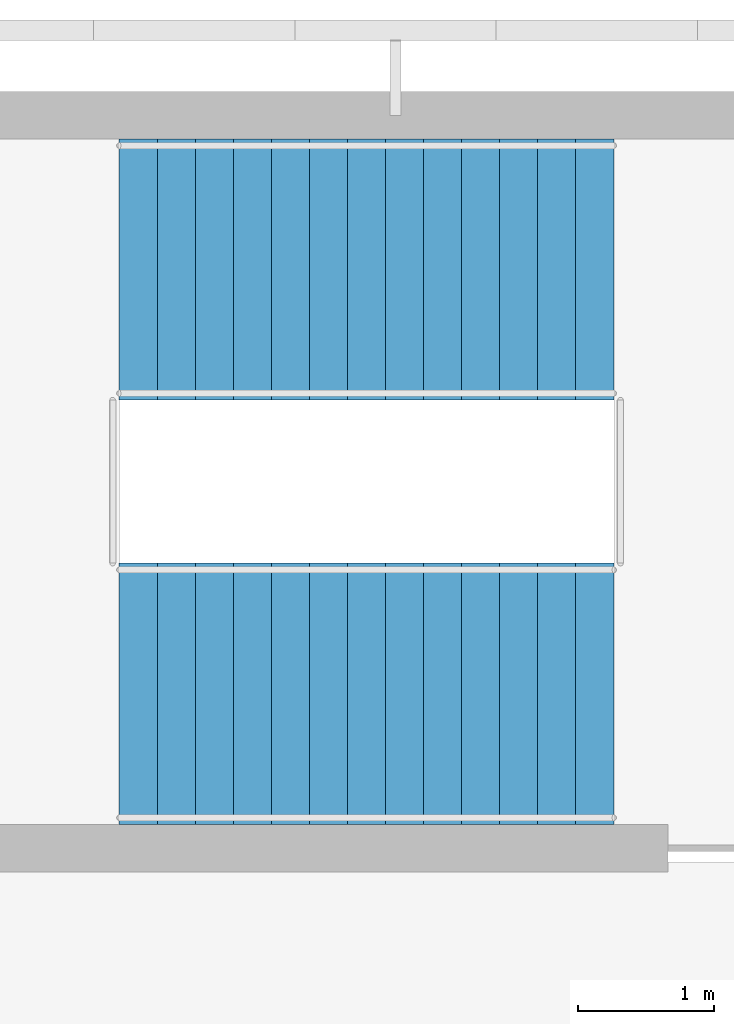
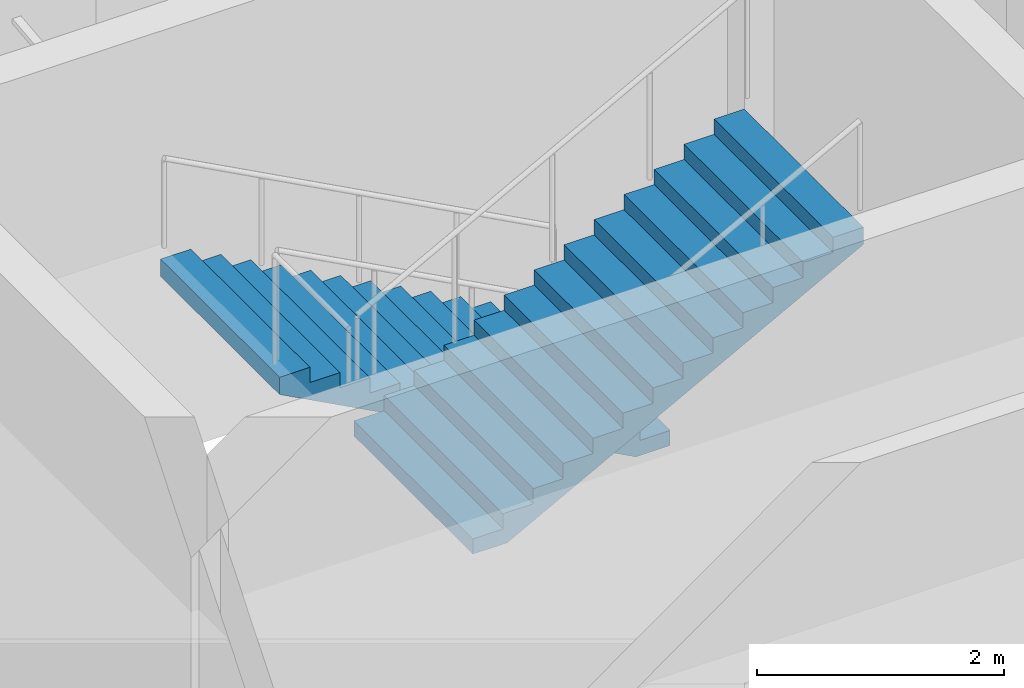
# One storey, part 91 of 137: 2 stair flights, 1 element without a shape of its own.
"""IFC4 building model written with IfcOpenShell, lengths in metres."""

from ifc_helpers import new_model, si_unit, direction, frame, origin, place, context, subcontext, project, spatial, polyline, outline, extrude, material, type_object, element, aggregate, save


model = new_model("IFC4")

# Units and contexts
model_context = context("Model", 3, precision=1e-05, world=origin(), true_north=direction((0.0, 1.0)))
body_context = subcontext(model_context, "Body", "Model", "MODEL_VIEW")
ifc_project = project(units=[si_unit("LENGTHUNIT", "METRE"), si_unit("AREAUNIT", "SQUARE_METRE"), si_unit("VOLUMEUNIT", "CUBIC_METRE"), si_unit("PLANEANGLEUNIT", "RADIAN"), si_unit("MASSUNIT", "GRAM", prefix="KILO")], contexts=[model_context])

# Site, building, storey
site_placement = place(None, origin())
site = spatial("IfcSite", under=ifc_project, at=site_placement, CompositionType="ELEMENT")
building_placement = place(site_placement, origin())
building = spatial("IfcBuilding", under=site, at=building_placement, Name="Bougainvillea Quay General Hospital", CompositionType="ELEMENT")
storey_placement = place(building_placement, frame((0.0, 0.0, 16.800048828125)))
storey = spatial("IfcBuildingStorey", under=building, at=storey_placement, Name="L03", CompositionType="ELEMENT", Elevation=16.800048828125)

# Stair, stair flights
ifc_material = material(Name="Concrete C35", Category="concrete")
stair_type = type_object("IfcStairType", Name="Stair half-turn 1925 wide", PredefinedType="HALF_TURN_STAIR", material=ifc_material)
stair_placement = place(storey_placement, origin())
stair = element("IfcStair", 1, at=stair_placement, inside=storey, type_object=stair_type, Name="L03 stair ST-A4", PredefinedType="HALF_TURN_STAIR")
stair_flight_type = type_object("IfcStairFlightType", Name="Stair flight 1925", PredefinedType="STRAIGHT", material=ifc_material)
stair_flight_1_placement = place(storey_placement, frame((182.699951171875, 158.46240234375, 0.0), z_axis=(0.0, 0.0, 1.0), x_axis=(-1.0, 0.0, 0.0)))
stair_flight_1 = element("IfcStairFlight", 2, at=stair_flight_1_placement, type_object=stair_flight_type, Name="ST-A4 flight 1", NumberOfRisers=14, NumberOfTreads=13, PredefinedType="STRAIGHT", RiserHeight=0.15, TreadLength=0.28, context=body_context, shape_type="SweptSolid", body=[
    extrude(outline(polyline([(-0.0029296875, 0.0), (-0.0029296875, 0.003662109375), (-0.0029296875, 0.00732421875), (-0.0029296875, 0.010986328125), (-0.0029296875, 0.0146484375), (-0.0029296875, 0.018310546875), (-0.0029296875, 0.02197265625), (-0.0029296875, 0.025634765625), (-0.0029296875, 0.029296875), (-0.0029296875, 0.032958984375), (-0.0029296875, 0.03662109375), (-0.0029296875, 0.040283203125), (-0.0029296875, 0.0439453125), (-0.0029296875, 0.047607421875), (-0.0029296875, 0.05126953125), (-0.0029296875, 0.054931640625), (-0.0029296875, 0.05859375), (-0.0029296875, 0.062255859375), (-0.0029296875, 0.06591796875), (-0.0029296875, 0.069580078125), (-0.0029296875, 0.0732421875), (-0.0029296875, 0.076904296875), (-0.0029296875, 0.08056640625), (-0.0029296875, 0.084228515625), (-0.0029296875, 0.087890625), (-0.0029296875, 0.091552734375), (-0.0029296875, 0.09521484375), (-0.0029296875, 0.098876953125), (-0.0029296875, 0.1025390625), (-0.0029296875, 0.106201171875), (-0.0029296875, 0.10986328125), (-0.0029296875, 0.113525390625), (-0.0029296875, 0.1171875), (-0.0029296875, 0.120849609375), (-0.0029296875, 0.12451171875), (-0.0029296875, 0.1279296875), (-0.0029296875, 0.131591796875), (-0.0029296875, 0.13525390625), (-0.0029296875, 0.138916015625), (-0.0029296875, 0.142578125), (-0.0029296875, 0.146240234375), (-0.0029296875, 0.14990234375), (0.280029296875, 0.14990234375), (0.280029296875, 0.300048828125), (0.56005859375, 0.300048828125), (0.56005859375, 0.449951171875), (0.840087890625, 0.449951171875), (0.840087890625, 0.60009765625), (1.1201171875, 0.60009765625), (1.1201171875, 0.75), (1.39990234375, 0.75), (1.39990234375, 0.89990234375), (1.679931640625, 0.89990234375), (1.679931640625, 1.050048828125), (1.9599609375, 1.050048828125), (1.9599609375, 1.199951171875), (2.239990234375, 1.199951171875), (2.239990234375, 1.35009765625), (2.52001953125, 1.35009765625), (2.52001953125, 1.5), (2.800048828125, 1.5), (2.800048828125, 1.64990234375), (3.080078125, 1.64990234375), (3.080078125, 1.800048828125), (3.360107421875, 1.800048828125), (3.360107421875, 1.949951171875), (3.64306640625, 1.949951171875), (3.64306640625, 1.94580078125), (3.64306640625, 1.941650390625), (3.64306640625, 1.9375), (3.64306640625, 1.933349609375), (3.64306640625, 1.92919921875), (3.64306640625, 1.925048828125), (3.64306640625, 1.9208984375), (3.64306640625, 1.916748046875), (3.64306640625, 1.91259765625), (3.64306640625, 1.908447265625), (3.64306640625, 1.904296875), (3.64306640625, 1.900146484375), (3.64306640625, 1.89599609375), (3.64306640625, 1.891845703125), (3.64306640625, 1.8876953125), (3.64306640625, 1.883544921875), (3.64306640625, 1.87939453125), (3.64306640625, 1.875244140625), (3.64306640625, 1.87109375), (3.64306640625, 1.866943359375), (3.64306640625, 1.86279296875), (3.64306640625, 1.858642578125), (3.64306640625, 1.8544921875), (3.64306640625, 1.850341796875), (3.64306640625, 1.84619140625), (3.64306640625, 1.842041015625), (3.64306640625, 1.837890625), (3.64306640625, 1.833984375), (3.64306640625, 1.829833984375), (3.64306640625, 1.82568359375), (3.64306640625, 1.821533203125), (3.64306640625, 1.8173828125), (3.64306640625, 1.813232421875), (3.64306640625, 1.80908203125), (3.64306640625, 1.804931640625), (3.64306640625, 1.80078125), (3.64306640625, 1.796630859375), (3.64306640625, 1.79248046875), (3.64306640625, 1.788330078125), (3.64306640625, 1.7841796875), (3.64306640625, 1.780029296875), (0.3173828125, 0.0), (-0.0029296875, 0.0)])), frame((0.0, 0.96240234375, 0.0), z_axis=(0.0, -1.0, 0.0), x_axis=(1.0, 0.0, 0.0)), (0.0, 0.0, 1.0), 1.925048828125),
])
stair_flight_2_placement = place(storey_placement, frame((179.06005859375, 155.33740234375, 2.099853515625), z_axis=(0.0, 0.0, 1.0), x_axis=(1.0, 0.0, 0.0)))
stair_flight_2 = element("IfcStairFlight", 3, at=stair_flight_2_placement, type_object=stair_flight_type, Name="ST-A4 flight 2", NumberOfRisers=14, NumberOfTreads=13, PredefinedType="STRAIGHT", RiserHeight=0.15, TreadLength=0.28, context=body_context, shape_type="SweptSolid", body=[
    extrude(outline(polyline([(-0.0029296875, 0.0), (-0.0029296875, 0.003662109375), (-0.0029296875, 0.00732421875), (-0.0029296875, 0.010986328125), (-0.0029296875, 0.0146484375), (-0.0029296875, 0.018310546875), (-0.0029296875, 0.02197265625), (-0.0029296875, 0.025634765625), (-0.0029296875, 0.029296875), (-0.0029296875, 0.032958984375), (-0.0029296875, 0.03662109375), (-0.0029296875, 0.040283203125), (-0.0029296875, 0.0439453125), (-0.0029296875, 0.047607421875), (-0.0029296875, 0.05126953125), (-0.0029296875, 0.054931640625), (-0.0029296875, 0.05859375), (-0.0029296875, 0.062255859375), (-0.0029296875, 0.06591796875), (-0.0029296875, 0.069580078125), (-0.0029296875, 0.0732421875), (-0.0029296875, 0.076904296875), (-0.0029296875, 0.08056640625), (-0.0029296875, 0.084228515625), (-0.0029296875, 0.087890625), (-0.0029296875, 0.091552734375), (-0.0029296875, 0.09521484375), (-0.0029296875, 0.098876953125), (-0.0029296875, 0.1025390625), (-0.0029296875, 0.106201171875), (-0.0029296875, 0.10986328125), (-0.0029296875, 0.113525390625), (-0.0029296875, 0.1171875), (-0.0029296875, 0.120849609375), (-0.0029296875, 0.12451171875), (-0.0029296875, 0.1279296875), (-0.0029296875, 0.131591796875), (-0.0029296875, 0.13525390625), (-0.0029296875, 0.138916015625), (-0.0029296875, 0.142578125), (-0.0029296875, 0.146240234375), (-0.0029296875, 0.14990234375), (0.280029296875, 0.14990234375), (0.280029296875, 0.300048828125), (0.56005859375, 0.300048828125), (0.56005859375, 0.449951171875), (0.840087890625, 0.449951171875), (0.840087890625, 0.60009765625), (1.1201171875, 0.60009765625), (1.1201171875, 0.75), (1.39990234375, 0.75), (1.39990234375, 0.89990234375), (1.679931640625, 0.89990234375), (1.679931640625, 1.050048828125), (1.9599609375, 1.050048828125), (1.9599609375, 1.199951171875), (2.239990234375, 1.199951171875), (2.239990234375, 1.35009765625), (2.52001953125, 1.35009765625), (2.52001953125, 1.5), (2.800048828125, 1.5), (2.800048828125, 1.64990234375), (3.080078125, 1.64990234375), (3.080078125, 1.800048828125), (3.360107421875, 1.800048828125), (3.360107421875, 1.949951171875), (3.64306640625, 1.949951171875), (3.64306640625, 1.94580078125), (3.64306640625, 1.941650390625), (3.64306640625, 1.9375), (3.64306640625, 1.933349609375), (3.64306640625, 1.92919921875), (3.64306640625, 1.925048828125), (3.64306640625, 1.9208984375), (3.64306640625, 1.916748046875), (3.64306640625, 1.91259765625), (3.64306640625, 1.908447265625), (3.64306640625, 1.904296875), (3.64306640625, 1.900146484375), (3.64306640625, 1.89599609375), (3.64306640625, 1.891845703125), (3.64306640625, 1.8876953125), (3.64306640625, 1.883544921875), (3.64306640625, 1.87939453125), (3.64306640625, 1.875244140625), (3.64306640625, 1.87109375), (3.64306640625, 1.866943359375), (3.64306640625, 1.86279296875), (3.64306640625, 1.858642578125), (3.64306640625, 1.8544921875), (3.64306640625, 1.850341796875), (3.64306640625, 1.84619140625), (3.64306640625, 1.842041015625), (3.64306640625, 1.837890625), (3.64306640625, 1.833984375), (3.64306640625, 1.829833984375), (3.64306640625, 1.82568359375), (3.64306640625, 1.821533203125), (3.64306640625, 1.8173828125), (3.64306640625, 1.813232421875), (3.64306640625, 1.80908203125), (3.64306640625, 1.804931640625), (3.64306640625, 1.80078125), (3.64306640625, 1.796630859375), (3.64306640625, 1.79248046875), (3.64306640625, 1.788330078125), (3.64306640625, 1.7841796875), (3.64306640625, 1.780029296875), (0.3173828125, 0.0), (-0.0029296875, 0.0)])), frame((0.0, 0.96240234375, 0.0), z_axis=(0.0, -1.0, 0.0), x_axis=(1.0, 0.0, 0.0)), (0.0, 0.0, 1.0), 1.925048828125),
])
aggregate(stair, [stair_flight_1, stair_flight_2])

save(model, "model.ifc")
